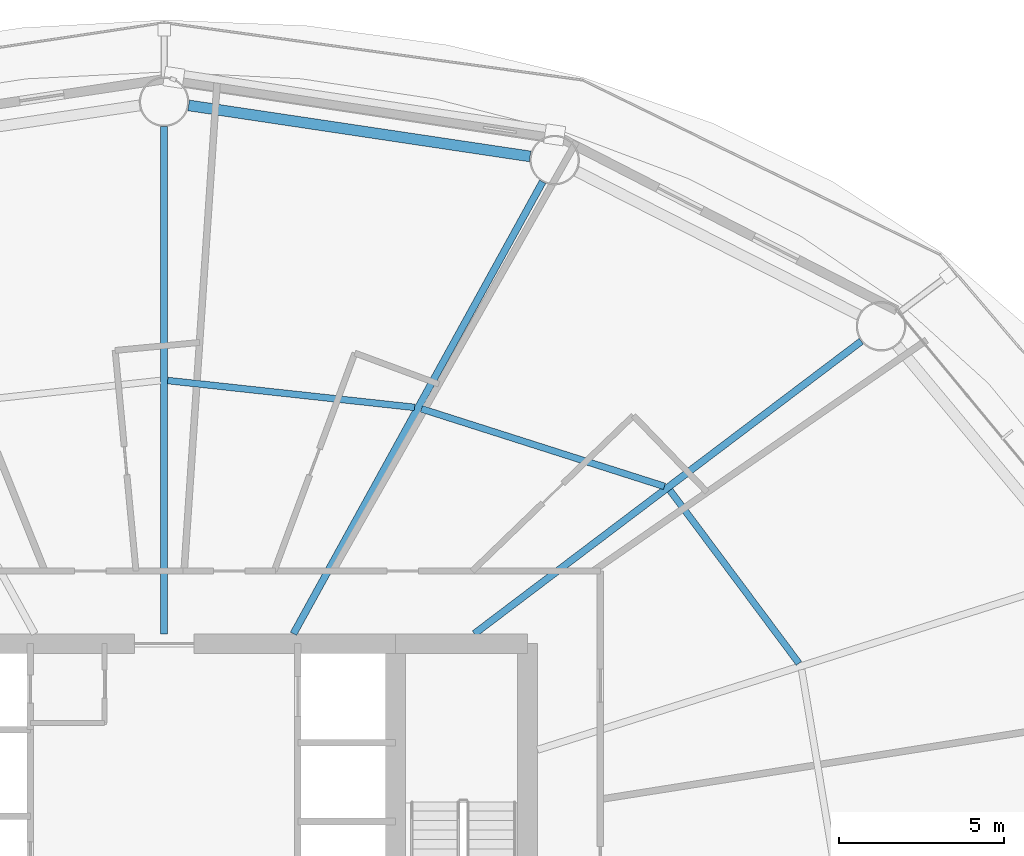
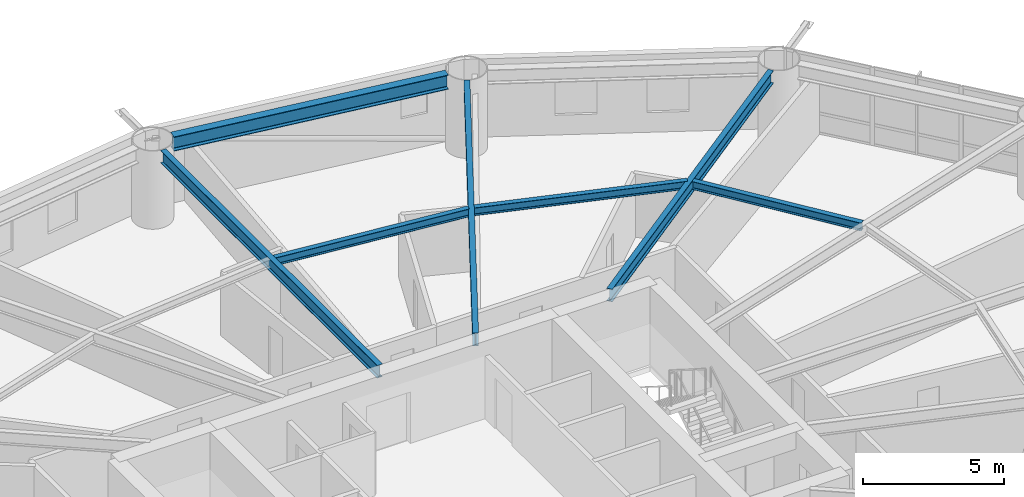
# One storey, part 13 of 28: 7 beams.
"""IFC4 building model written with IfcOpenShell, lengths in metres."""

from ifc_helpers import new_model, si_unit, direction, frame, origin, origin_2d, place, context, subcontext, project, spatial, i_section, extrude, material, material_profile, profile_set, type_object, element, save


model = new_model("IFC4")

# Units and contexts
model_context = context("Model", 3, precision=1e-05, world=origin(), true_north=direction((0.0, 1.0)))
body_context = subcontext(model_context, "Body", "Model", "MODEL_VIEW")
ifc_project = project(units=[si_unit("LENGTHUNIT", "METRE"), si_unit("AREAUNIT", "SQUARE_METRE"), si_unit("VOLUMEUNIT", "CUBIC_METRE"), si_unit("PLANEANGLEUNIT", "RADIAN"), si_unit("MASSUNIT", "GRAM", prefix="KILO")], contexts=[model_context])

# Site, building, storey
site_placement = place(None, origin())
site = spatial("IfcSite", under=ifc_project, at=site_placement, CompositionType="ELEMENT")
building_placement = place(site_placement, origin())
building = spatial("IfcBuilding", under=site, at=building_placement, Name="Sarneth Arch Tower", CompositionType="ELEMENT")
storey_placement = place(building_placement, frame((0.0, 0.0, 67.800048828125)))
storey = spatial("IfcBuildingStorey", under=building, at=storey_placement, Name="L16", CompositionType="ELEMENT", Elevation=67.800048828125)

# Beams
ifc_material_1 = material(Name="Steel S355", Category="steel")
ifc_material_profile_1 = material_profile(ifc_material_1, i_section(OverallWidth=0.202880859375, OverallDepth=0.346923828125, WebThickness=0.0078125, FlangeThickness=0.013427734375, FilletRadius=0.014892578125, at=origin_2d()), Name="W360x64")
ifc_profile_set_1 = profile_set([ifc_material_profile_1], Name="Steel S355")
beam_type_1 = type_object("IfcBeamType", Name="BM-JOIST-360C", PredefinedType="JOIST", material=ifc_profile_set_1)
beam_1_placement = place(storey_placement, frame((67.21142578125, 48.205078125, 3.20654296875), z_axis=(-0.597700490469, 0.801719479428, 0.0), x_axis=(-0.801719479428, -0.597700490469, 0.0)))
element("IfcBeam", 1, at=beam_1_placement, inside=storey, type_object=beam_type_1, Name="L16 Secondary floor joist 02", PredefinedType="JOIST", context=body_context, shape_type="SweptSolid", body=[
    extrude(i_section(OverallWidth=0.202880859375, OverallDepth=0.346923828125, WebThickness=0.0078125, FlangeThickness=0.013427734375, FilletRadius=0.014892578125, at=origin_2d()), origin(), (0.0, 0.0, 1.0), 6.5302734375),
])
beam_2_placement = place(storey_placement, frame((63.142333984375, 53.558837890625, 3.20654296875), z_axis=(-0.95266836992, 0.304011475036, 0.0), x_axis=(-0.304011475036, -0.95266836992, 0.0)))
element("IfcBeam", 2, at=beam_2_placement, inside=storey, type_object=beam_type_1, Name="L16 Secondary floor joist 03", PredefinedType="JOIST", context=body_context, shape_type="SweptSolid", body=[
    extrude(i_section(OverallWidth=0.202880859375, OverallDepth=0.346923828125, WebThickness=0.0078125, FlangeThickness=0.013427734375, FilletRadius=0.014892578125, at=origin_2d()), origin(), (0.0, 0.0, 1.0), 7.720703125),
])
beam_3_placement = place(storey_placement, frame((55.578857421875, 55.9501953125, 3.20654296875), z_axis=(-0.994129966112, 0.108192469602, 0.0), x_axis=(-0.108192469602, -0.994129966112, 0.0)))
element("IfcBeam", 3, at=beam_3_placement, inside=storey, type_object=beam_type_1, Name="L16 Secondary floor joist 04", PredefinedType="JOIST", context=body_context, shape_type="SweptSolid", body=[
    extrude(i_section(OverallWidth=0.202880859375, OverallDepth=0.346923828125, WebThickness=0.0078125, FlangeThickness=0.013427734375, FilletRadius=0.014892578125, at=origin_2d()), origin(), (0.0, 0.0, 1.0), 7.5166015625),
])
ifc_material_2 = material(Name="Steel S355", Category="steel")
ifc_material_profile_2 = material_profile(ifc_material_2, i_section(OverallWidth=0.214111328125, OverallDepth=0.549072265625, WebThickness=0.0146484375, FlangeThickness=0.023681640625, FilletRadius=0.01806640625, at=origin_2d()), Name="W530x138")
ifc_profile_set_2 = profile_set([ifc_material_profile_2], Name="Steel S355")
beam_type_2 = type_object("IfcBeamType", Name="BM-RAD-530A", PredefinedType="BEAM", material=ifc_profile_set_2)
beam_4_placement = place(storey_placement, frame((57.390380859375, 49.10009765625, 3.10546875), z_axis=(0.79765464731, 0.603114469753, 0.0), x_axis=(-0.603114469753, 0.79765464731, 0.0)))
element("IfcBeam", 4, at=beam_4_placement, inside=storey, type_object=beam_type_2, Name="L16 Radial floor girder 03", PredefinedType="BEAM", context=body_context, shape_type="SweptSolid", body=[
    extrude(i_section(OverallWidth=0.214111328125, OverallDepth=0.549072265625, WebThickness=0.0146484375, FlangeThickness=0.023681640625, FilletRadius=0.01806640625, at=origin_2d()), origin(), (0.0, 0.0, 1.0), 14.677978515625),
])
beam_5_placement = place(storey_placement, frame((51.91455078125, 49.10009765625, 3.10546875), z_axis=(0.482841370957, 0.875707833979, 0.0), x_axis=(-0.875707833979, 0.482841370957, 0.0)))
element("IfcBeam", 5, at=beam_5_placement, inside=storey, type_object=beam_type_2, Name="L16 Radial floor girder 04", PredefinedType="BEAM", context=body_context, shape_type="SweptSolid", body=[
    extrude(i_section(OverallWidth=0.214111328125, OverallDepth=0.549072265625, WebThickness=0.0146484375, FlangeThickness=0.023681640625, FilletRadius=0.01806640625, at=origin_2d()), origin(), (0.0, 0.0, 1.0), 15.618408203125),
])
beam_6_placement = place(storey_placement, frame((48.0, 49.10009765625, 3.10546875), z_axis=(0.0, 1.0, 0.0), x_axis=(-1.0, 0.0, 0.0)))
element("IfcBeam", 6, at=beam_6_placement, inside=storey, type_object=beam_type_2, Name="L16 Radial floor girder 05", PredefinedType="BEAM", context=body_context, shape_type="SweptSolid", body=[
    extrude(i_section(OverallWidth=0.214111328125, OverallDepth=0.549072265625, WebThickness=0.0146484375, FlangeThickness=0.023681640625, FilletRadius=0.01806640625, at=origin_2d()), origin(), (0.0, 0.0, 1.0), 15.349853515625),
])
ifc_material_3 = material(Name="Steel S355", Category="steel")
ifc_material_profile_3 = material_profile(ifc_material_3, i_section(OverallWidth=0.326904296875, OverallDepth=0.6220703125, WebThickness=0.015380859375, FlangeThickness=0.0244140625, FilletRadius=0.01904296875, at=origin_2d()), Name="W610x195")
ifc_profile_set_3 = profile_set([ifc_material_profile_3], Name="Steel S355")
beam_type_3 = type_object("IfcBeamType", Name="BM-SPAN-610A", PredefinedType="SPANDREL", material=ifc_profile_set_3)
beam_7_placement = place(storey_placement, frame((59.076171875, 63.544921875, 3.06884765625), z_axis=(-0.989020169581, 0.147780594675, 0.0), x_axis=(-0.147780594675, -0.989020169581, 0.0)))
element("IfcBeam", 7, at=beam_7_placement, inside=storey, type_object=beam_type_3, Name="L16 Perimeter spandrel beam 04", PredefinedType="SPANDREL", context=body_context, shape_type="SweptSolid", body=[
    extrude(i_section(OverallWidth=0.326904296875, OverallDepth=0.6220703125, WebThickness=0.015380859375, FlangeThickness=0.0244140625, FilletRadius=0.01904296875, at=origin_2d()), origin(), (0.0, 0.0, 1.0), 10.44921875),
])

save(model, "model.ifc")
